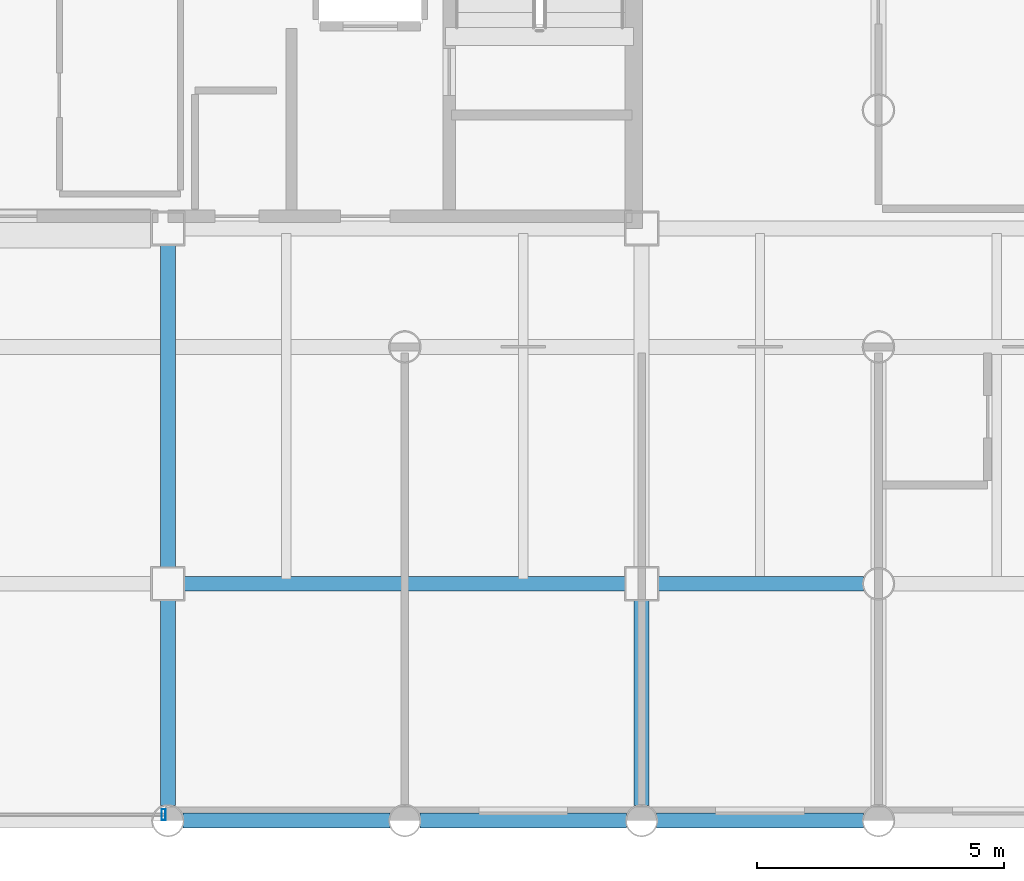
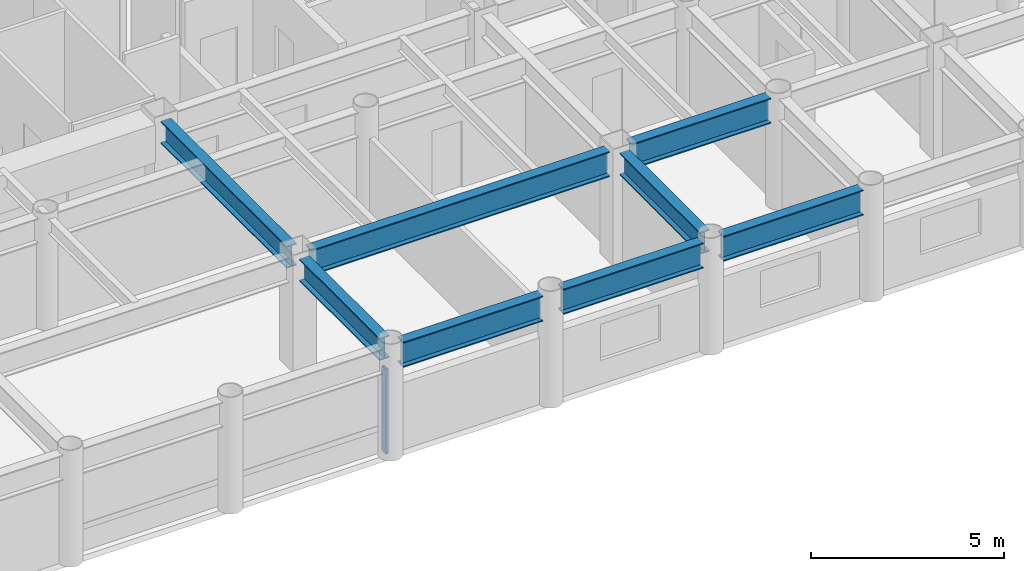
# One storey, part 6 of 20: 8 beams, 1 member, 1 element without a shape of its own.
"""IFC4 building model written with IfcOpenShell, lengths in metres."""

from ifc_helpers import new_model, si_unit, direction, frame, origin, origin_2d, place, context, subcontext, project, spatial, hollow_rectangle, i_section, extrude, material, layer, layer_set, material_profile, profile_set, type_object, element, aggregate, save


model = new_model("IFC4")

# Units and contexts
model_context = context("Model", 3, precision=1e-05, world=origin(), true_north=direction((0.0, 1.0)))
body_context = subcontext(model_context, "Body", "Model", "MODEL_VIEW")
ifc_project = project(units=[si_unit("LENGTHUNIT", "METRE"), si_unit("AREAUNIT", "SQUARE_METRE"), si_unit("VOLUMEUNIT", "CUBIC_METRE"), si_unit("PLANEANGLEUNIT", "RADIAN"), si_unit("MASSUNIT", "GRAM", prefix="KILO")], contexts=[model_context])

# Site, building, storey
site_placement = place(None, origin())
site = spatial("IfcSite", under=ifc_project, at=site_placement, CompositionType="ELEMENT")
building_placement = place(site_placement, origin())
building = spatial("IfcBuilding", under=site, at=building_placement, Name="Kallvorn Hotel Tower", CompositionType="ELEMENT")
storey_placement = place(building_placement, frame((0.0, 0.0, 98.89990234375)))
storey = spatial("IfcBuildingStorey", under=building, at=storey_placement, Name="L23", CompositionType="ELEMENT", Elevation=98.89990234375)

# Beams
ifc_material_1 = material(Name="Structural steel S355JR", Category="steel")
ifc_material_profile_1 = material_profile(ifc_material_1, i_section(OverallWidth=0.300048828125, OverallDepth=0.699951171875, WebThickness=0.01708984375, FlangeThickness=0.031982421875, at=origin_2d()), Name="HE 700 B")
ifc_profile_set_1 = profile_set([ifc_material_profile_1], Name="Structural steel S355JR")
beam_type_1 = type_object("IfcBeamType", Name="BM_HE700B", PredefinedType="BEAM", material=ifc_profile_set_1)
beam_1_placement = place(storey_placement, frame((4.800048828125, -18.89501953125, 3.170166015625), z_axis=(0.0, 1.0, 0.0), x_axis=(-1.0, 0.0, 0.0)))
element("IfcBeam", 1, at=beam_1_placement, inside=storey, type_object=beam_type_1, Name="L24 Primary Y-Girder 113", PredefinedType="BEAM", context=body_context, shape_type="SweptSolid", body=[
    extrude(i_section(OverallWidth=0.300048828125, OverallDepth=0.699951171875, WebThickness=0.01708984375, FlangeThickness=0.031982421875, at=origin_2d()), origin(), (0.0, 0.0, 1.0), 4.169921875),
])
beam_2_placement = place(storey_placement, frame((4.800048828125, -14.074951171875, 3.170166015625), z_axis=(0.0, 1.0, 0.0), x_axis=(-1.0, 0.0, 0.0)))
element("IfcBeam", 2, at=beam_2_placement, inside=storey, type_object=beam_type_1, Name="L24 Primary Y-Girder 114", PredefinedType="BEAM", context=body_context, shape_type="SweptSolid", body=[
    extrude(i_section(OverallWidth=0.300048828125, OverallDepth=0.699951171875, WebThickness=0.01708984375, FlangeThickness=0.031982421875, at=origin_2d()), origin(), (0.0, 0.0, 1.0), 6.550048828125),
])
beam_3_placement = place(storey_placement, frame((14.39990234375, -18.89501953125, 3.170166015625), z_axis=(0.0, 1.0, 0.0), x_axis=(-1.0, 0.0, 0.0)))
element("IfcBeam", 3, at=beam_3_placement, inside=storey, type_object=beam_type_1, Name="L24 Primary Y-Girder 121", PredefinedType="BEAM", context=body_context, shape_type="SweptSolid", body=[
    extrude(i_section(OverallWidth=0.300048828125, OverallDepth=0.699951171875, WebThickness=0.01708984375, FlangeThickness=0.031982421875, at=origin_2d()), origin(), (0.0, 0.0, 1.0), 4.169921875),
])
ifc_material_2 = material(Name="Structural steel S355JR", Category="steel")
ifc_material_profile_2 = material_profile(ifc_material_2, i_section(OverallWidth=0.300048828125, OverallDepth=0.800048828125, WebThickness=0.017578125, FlangeThickness=0.032958984375, at=origin_2d()), Name="HE 800 B")
ifc_profile_set_2 = profile_set([ifc_material_profile_2], Name="Structural steel S355JR")
beam_type_2 = type_object("IfcBeamType", Name="BM_HE800B", PredefinedType="BEAM", material=ifc_profile_set_2)
for number, where, z_axis, x_axis, name in (
    (4, (5.10498046875, -19.199951171875, 3.1201171875), (1.0, 0.0, 0.0), (0.0, 1.0, 0.0), "L24 Primary X-Girder 08"),
    (5, (9.905029296875, -19.199951171875, 3.1201171875), (1.0, 0.0, 0.0), (0.0, 1.0, 0.0), "L24 Primary X-Girder 09"),
    (6, (14.705078125, -19.199951171875, 3.1201171875), (1.0, 0.0, 0.0), (0.0, 1.0, 0.0), "L24 Primary X-Girder 10"),
):
    element("IfcBeam", number, at=place(storey_placement, frame(where, z_axis=z_axis, x_axis=x_axis)), inside=storey, type_object=beam_type_2, Name=name, PredefinedType="BEAM", context=body_context, shape_type="SweptSolid", body=[
        extrude(i_section(OverallWidth=0.300048828125, OverallDepth=0.800048828125, WebThickness=0.017578125, FlangeThickness=0.032958984375, at=origin_2d()), origin(), (0.0, 0.0, 1.0), 4.18994140625),
    ])
beam_4_placement = place(storey_placement, frame((5.125, -14.39990234375, 3.1201171875), z_axis=(1.0, 0.0, 0.0), x_axis=(0.0, 1.0, 0.0)))
element("IfcBeam", 7, at=beam_4_placement, inside=storey, type_object=beam_type_2, Name="L24 Primary X-Girder 18", PredefinedType="BEAM", context=body_context, shape_type="SweptSolid", body=[
    extrude(i_section(OverallWidth=0.300048828125, OverallDepth=0.800048828125, WebThickness=0.017578125, FlangeThickness=0.032958984375, at=origin_2d()), origin(), (0.0, 0.0, 1.0), 8.949951171875),
])
beam_5_placement = place(storey_placement, frame((14.72509765625, -14.39990234375, 3.1201171875), z_axis=(1.0, 0.0, 0.0), x_axis=(0.0, 1.0, 0.0)))
element("IfcBeam", 8, at=beam_5_placement, inside=storey, type_object=beam_type_2, Name="L24 Primary X-Girder 19", PredefinedType="BEAM", context=body_context, shape_type="SweptSolid", body=[
    extrude(i_section(OverallWidth=0.300048828125, OverallDepth=0.800048828125, WebThickness=0.017578125, FlangeThickness=0.032958984375, at=origin_2d()), origin(), (0.0, 0.0, 1.0), 4.169921875),
])

# Curtain wall, member
ifc_material_3 = material(Name="Thermally broken black-anodised aluminium AA 6063-T6", Category="aluminium")
ifc_layer = layer(ifc_material_3, 0.199951171875)
ifc_layer_set = layer_set([ifc_layer], Name="CW_SYS_3_HOTEL_LOW")
curtain_wall_type = type_object("IfcCurtainWallType", Name="CW_SYS_3_HOTEL_LOW", PredefinedType="USERDEFINED", material=ifc_layer_set)
curtain_wall_placement = place(storey_placement, origin())
curtain_wall = element("IfcCurtainWall", 9, at=curtain_wall_placement, inside=storey, type_object=curtain_wall_type, Name="L23 Dark-Glass Curtain Wall CW-L23-SC", ObjectType="UNITISED CURTAIN WALL", PredefinedType="USERDEFINED")
ifc_material_4 = material(Name="Thermally broken black-anodised aluminium AA 6063-T6", Category="aluminium")
ifc_material_profile_3 = material_profile(ifc_material_4, hollow_rectangle(XDim=0.080078125, YDim=0.219970703125, WallThickness=0.0048828125, at=origin_2d()), Name="MUL 220x80")
ifc_profile_set_3 = profile_set([ifc_material_profile_3], Name="Thermally broken black-anodised aluminium AA 6063-T6")
member_type = type_object("IfcMemberType", Name="CW_MULLION_220x80", PredefinedType="MULLION", material=ifc_profile_set_3)
member_placement = place(storey_placement, frame((4.7099609375, -19.080078125, 0.02001953125), z_axis=(0.0, 0.0, 1.0), x_axis=(1.0, 0.0, 0.0)))
member = element("IfcMember", 10, at=member_placement, type_object=member_type, Name="CW-L23-SC Mullion 02", PredefinedType="MULLION", context=body_context, shape_type="SweptSolid", body=[
    extrude(hollow_rectangle(XDim=0.080078125, YDim=0.219970703125, WallThickness=0.0048828125, at=origin_2d()), origin(), (0.0, 0.0, 1.0), 2.68017578125),
])
aggregate(curtain_wall, [member])

save(model, "model.ifc")
